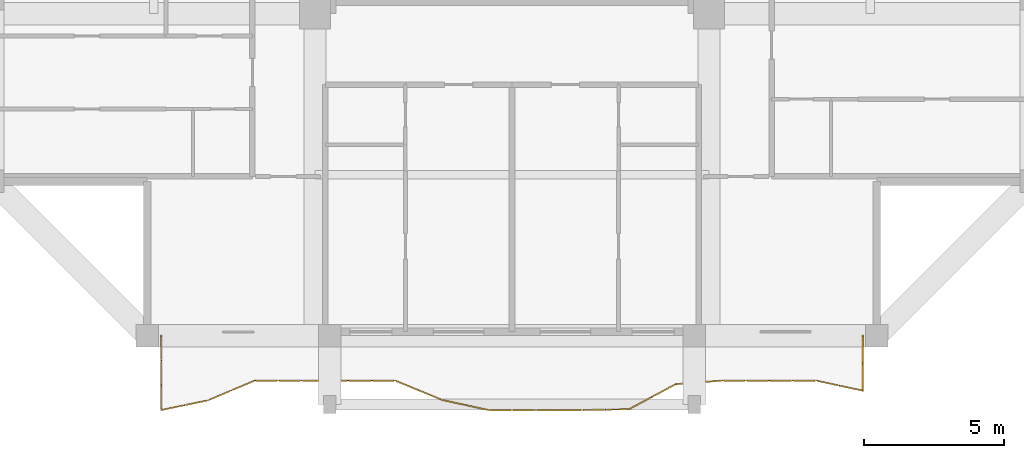
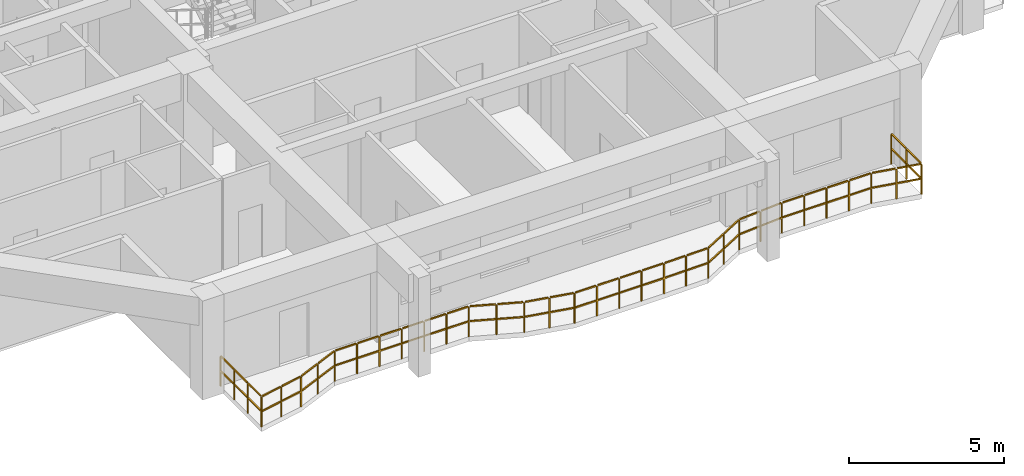
# One storey, part 10 of 14: 1 railing.
"""IFC4 building model written with IfcOpenShell, lengths in metres."""

from ifc_helpers import new_model, si_unit, direction, frame, origin, origin_2d, place, context, subcontext, project, spatial, rectangle, extrude, material, type_object, element, save


model = new_model("IFC4")

# Units and contexts
model_context = context("Model", 3, precision=1e-05, world=origin(), true_north=direction((0.0, 1.0)))
body_context = subcontext(model_context, "Body", "Model", "MODEL_VIEW")
ifc_project = project(units=[si_unit("LENGTHUNIT", "METRE"), si_unit("AREAUNIT", "SQUARE_METRE"), si_unit("VOLUMEUNIT", "CUBIC_METRE"), si_unit("PLANEANGLEUNIT", "RADIAN"), si_unit("MASSUNIT", "GRAM", prefix="KILO")], contexts=[model_context])

# Site, building, storey
site_placement = place(None, origin())
site = spatial("IfcSite", under=ifc_project, at=site_placement, CompositionType="ELEMENT")
building_placement = place(site_placement, origin())
building = spatial("IfcBuilding", under=site, at=building_placement, Name="Saelheon Loggia Tower", CompositionType="ELEMENT")
storey_placement = place(building_placement, frame((0.0, 0.0, 202.60009765625)))
storey = spatial("IfcBuildingStorey", under=building, at=storey_placement, Name="L63", CompositionType="ELEMENT", Elevation=202.60009765625)

# Railing
ifc_material = material(Name="Architectural Precast Concrete and Laminated Glass Guard", Category="concrete")
railing_type = type_object("IfcRailingType", Name="Guard_Loggia_RL_LOG", PredefinedType="BALUSTRADE", material=ifc_material)
railing_placement = place(storey_placement, frame((25.5, 6.0, 0.0)))
element("IfcRailing", 1, at=railing_placement, inside=storey, type_object=railing_type, Name="L63 South Loggia Balustrade", PredefinedType="BALUSTRADE", context=body_context, shape_type="SweptSolid", body=[
    extrude(rectangle(XDim=0.048095703125, YDim=0.048095703125, at=origin_2d()), frame((0.0, -0.033203125, 1.19580078125), z_axis=(0.0, -1.0, 0.0), x_axis=(1.0, 0.0, 0.0)), (0.0, 0.0, 1.0), 0.81689453125),
    extrude(rectangle(XDim=0.048095703125, YDim=0.048095703125, at=origin_2d()), frame((0.0, -0.033203125, 0.60986328125), z_axis=(0.0, -1.0, 0.0), x_axis=(1.0, 0.0, 0.0)), (0.0, 0.0, 1.0), 0.81689453125),
    extrude(rectangle(XDim=0.048095703125, YDim=0.048095703125, at=origin_2d()), frame((0.0, -0.91650390625, 1.19580078125), z_axis=(0.0, -1.0, 0.0), x_axis=(1.0, 0.0, 0.0)), (0.0, 0.0, 1.0), 0.81689453125),
    extrude(rectangle(XDim=0.048095703125, YDim=0.048095703125, at=origin_2d()), frame((0.0, -0.91650390625, 0.60986328125), z_axis=(0.0, -1.0, 0.0), x_axis=(1.0, 0.0, 0.0)), (0.0, 0.0, 1.0), 0.81689453125),
    extrude(rectangle(XDim=0.048095703125, YDim=0.048095703125, at=origin_2d()), frame((0.0, -1.7998046875, 1.19580078125), z_axis=(0.0, -1.0, 0.0), x_axis=(1.0, 0.0, 0.0)), (0.0, 0.0, 1.0), 0.81689453125),
    extrude(rectangle(XDim=0.048095703125, YDim=0.048095703125, at=origin_2d()), frame((0.0, -1.7998046875, 0.60986328125), z_axis=(0.0, -1.0, 0.0), x_axis=(1.0, 0.0, 0.0)), (0.0, 0.0, 1.0), 0.81689453125),
    extrude(rectangle(XDim=0.048095703125, YDim=0.048095703125, at=origin_2d()), frame((0.032470703125, -2.64306640625, 1.19580078125), z_axis=(0.97910313619, 0.20336432505, 0.0), x_axis=(-0.20336432505, 0.97910313619, 0.0)), (0.0, 0.0, 1.0), 0.78466796875),
    extrude(rectangle(XDim=0.048095703125, YDim=0.048095703125, at=origin_2d()), frame((0.032470703125, -2.64306640625, 0.60986328125), z_axis=(0.97910313619, 0.20336432505, 0.0), x_axis=(-0.20336432505, 0.97910313619, 0.0)), (0.0, 0.0, 1.0), 0.78466796875),
    extrude(rectangle(XDim=0.048095703125, YDim=0.048095703125, at=origin_2d()), frame((0.865966796875, -2.469970703125, 1.19580078125), z_axis=(0.97910313619, 0.20336432505, 0.0), x_axis=(-0.20336432505, 0.97910313619, 0.0)), (0.0, 0.0, 1.0), 0.78466796875),
    extrude(rectangle(XDim=0.048095703125, YDim=0.048095703125, at=origin_2d()), frame((0.865966796875, -2.469970703125, 0.60986328125), z_axis=(0.97910313619, 0.20336432505, 0.0), x_axis=(-0.20336432505, 0.97910313619, 0.0)), (0.0, 0.0, 1.0), 0.78466796875),
    extrude(rectangle(XDim=0.048095703125, YDim=0.048095703125, at=origin_2d()), frame((1.697265625, -2.290771484375, 1.19580078125), z_axis=(0.921253860244, 0.388961855438, 0.0), x_axis=(-0.388961855438, 0.921253860244, 0.0)), (0.0, 0.0, 1.0), 0.837890625),
    extrude(rectangle(XDim=0.048095703125, YDim=0.048095703125, at=origin_2d()), frame((1.697265625, -2.290771484375, 0.60986328125), z_axis=(0.921253860244, 0.388961855438, 0.0), x_axis=(-0.388961855438, 0.921253860244, 0.0)), (0.0, 0.0, 1.0), 0.837890625),
    extrude(rectangle(XDim=0.048095703125, YDim=0.048095703125, at=origin_2d()), frame((2.530517578125, -1.93896484375, 1.19580078125), z_axis=(0.921253860244, 0.388961855438, 0.0), x_axis=(-0.388961855438, 0.921253860244, 0.0)), (0.0, 0.0, 1.0), 0.837890625),
    extrude(rectangle(XDim=0.048095703125, YDim=0.048095703125, at=origin_2d()), frame((2.530517578125, -1.93896484375, 0.60986328125), z_axis=(0.921253860244, 0.388961855438, 0.0), x_axis=(-0.388961855438, 0.921253860244, 0.0)), (0.0, 0.0, 1.0), 0.837890625),
    extrude(rectangle(XDim=0.048095703125, YDim=0.048095703125, at=origin_2d()), frame((3.366455078125, -1.60009765625, 1.19580078125), z_axis=(1.0, 0.0, 0.0), x_axis=(0.0, 1.0, 0.0)), (0.0, 0.0, 1.0), 0.766845703125),
    extrude(rectangle(XDim=0.048095703125, YDim=0.048095703125, at=origin_2d()), frame((3.366455078125, -1.60009765625, 0.60986328125), z_axis=(1.0, 0.0, 0.0), x_axis=(0.0, 1.0, 0.0)), (0.0, 0.0, 1.0), 0.766845703125),
    extrude(rectangle(XDim=0.048095703125, YDim=0.048095703125, at=origin_2d()), frame((4.199951171875, -1.60009765625, 1.19580078125), z_axis=(1.0, 0.0, 0.0), x_axis=(0.0, 1.0, 0.0)), (0.0, 0.0, 1.0), 0.766845703125),
    extrude(rectangle(XDim=0.048095703125, YDim=0.048095703125, at=origin_2d()), frame((4.199951171875, -1.60009765625, 0.60986328125), z_axis=(1.0, 0.0, 0.0), x_axis=(0.0, 1.0, 0.0)), (0.0, 0.0, 1.0), 0.766845703125),
    extrude(rectangle(XDim=0.048095703125, YDim=0.048095703125, at=origin_2d()), frame((5.033203125, -1.60009765625, 1.19580078125), z_axis=(1.0, 0.0, 0.0), x_axis=(0.0, 1.0, 0.0)), (0.0, 0.0, 1.0), 0.766845703125),
    extrude(rectangle(XDim=0.048095703125, YDim=0.048095703125, at=origin_2d()), frame((5.033203125, -1.60009765625, 0.60986328125), z_axis=(1.0, 0.0, 0.0), x_axis=(0.0, 1.0, 0.0)), (0.0, 0.0, 1.0), 0.766845703125),
    extrude(rectangle(XDim=0.048095703125, YDim=0.048095703125, at=origin_2d()), frame((5.86669921875, -1.60009765625, 1.19580078125), z_axis=(1.0, 0.0, 0.0), x_axis=(0.0, 1.0, 0.0)), (0.0, 0.0, 1.0), 0.766845703125),
    extrude(rectangle(XDim=0.048095703125, YDim=0.048095703125, at=origin_2d()), frame((5.86669921875, -1.60009765625, 0.60986328125), z_axis=(1.0, 0.0, 0.0), x_axis=(0.0, 1.0, 0.0)), (0.0, 0.0, 1.0), 0.766845703125),
    extrude(rectangle(XDim=0.048095703125, YDim=0.048095703125, at=origin_2d()), frame((6.699951171875, -1.60009765625, 1.19580078125), z_axis=(1.0, 0.0, 0.0), x_axis=(0.0, 1.0, 0.0)), (0.0, 0.0, 1.0), 0.766845703125),
    extrude(rectangle(XDim=0.048095703125, YDim=0.048095703125, at=origin_2d()), frame((6.699951171875, -1.60009765625, 0.60986328125), z_axis=(1.0, 0.0, 0.0), x_axis=(0.0, 1.0, 0.0)), (0.0, 0.0, 1.0), 0.766845703125),
    extrude(rectangle(XDim=0.048095703125, YDim=0.048095703125, at=origin_2d()), frame((7.533203125, -1.60009765625, 1.19580078125), z_axis=(1.0, 0.0, 0.0), x_axis=(0.0, 1.0, 0.0)), (0.0, 0.0, 1.0), 0.766845703125),
    extrude(rectangle(XDim=0.048095703125, YDim=0.048095703125, at=origin_2d()), frame((7.533203125, -1.60009765625, 0.60986328125), z_axis=(1.0, 0.0, 0.0), x_axis=(0.0, 1.0, 0.0)), (0.0, 0.0, 1.0), 0.766845703125),
    extrude(rectangle(XDim=0.048095703125, YDim=0.048095703125, at=origin_2d()), frame((8.364013671875, -1.61279296875, 1.19580078125), z_axis=(0.924826719989, -0.380388667017, 0.0), x_axis=(0.380388667017, 0.924826719989, 0.0)), (0.0, 0.0, 1.0), 0.834716796875),
    extrude(rectangle(XDim=0.048095703125, YDim=0.048095703125, at=origin_2d()), frame((8.364013671875, -1.61279296875, 0.60986328125), z_axis=(0.924826719989, -0.380388667017, 0.0), x_axis=(0.380388667017, 0.924826719989, 0.0)), (0.0, 0.0, 1.0), 0.834716796875),
    extrude(rectangle(XDim=0.048095703125, YDim=0.048095703125, at=origin_2d()), frame((9.197265625, -1.95556640625, 1.19580078125), z_axis=(0.924826719989, -0.380388667017, 0.0), x_axis=(0.380388667017, 0.924826719989, 0.0)), (0.0, 0.0, 1.0), 0.834716796875),
    extrude(rectangle(XDim=0.048095703125, YDim=0.048095703125, at=origin_2d()), frame((9.197265625, -1.95556640625, 0.60986328125), z_axis=(0.924826719989, -0.380388667017, 0.0), x_axis=(0.380388667017, 0.924826719989, 0.0)), (0.0, 0.0, 1.0), 0.834716796875),
    extrude(rectangle(XDim=0.048095703125, YDim=0.048095703125, at=origin_2d()), frame((10.032470703125, -2.292724609375, 1.19580078125), z_axis=(0.976942008233, -0.213504830274, 0.0), x_axis=(0.213504830274, 0.976942008233, 0.0)), (0.0, 0.0, 1.0), 0.78662109375),
    extrude(rectangle(XDim=0.048095703125, YDim=0.048095703125, at=origin_2d()), frame((10.032470703125, -2.292724609375, 0.60986328125), z_axis=(0.976942008233, -0.213504830274, 0.0), x_axis=(0.213504830274, 0.976942008233, 0.0)), (0.0, 0.0, 1.0), 0.78662109375),
    extrude(rectangle(XDim=0.048095703125, YDim=0.048095703125, at=origin_2d()), frame((10.86572265625, -2.474853515625, 1.19580078125), z_axis=(0.976942008233, -0.213504830274, 0.0), x_axis=(0.213504830274, 0.976942008233, 0.0)), (0.0, 0.0, 1.0), 0.78662109375),
    extrude(rectangle(XDim=0.048095703125, YDim=0.048095703125, at=origin_2d()), frame((10.86572265625, -2.474853515625, 0.60986328125), z_axis=(0.976942008233, -0.213504830274, 0.0), x_axis=(0.213504830274, 0.976942008233, 0.0)), (0.0, 0.0, 1.0), 0.78662109375),
    extrude(rectangle(XDim=0.048095703125, YDim=0.048095703125, at=origin_2d()), frame((11.699951171875, -2.64990234375, 1.19580078125), z_axis=(1.0, 0.0, 0.0), x_axis=(0.0, 1.0, 0.0)), (0.0, 0.0, 1.0), 0.766845703125),
    extrude(rectangle(XDim=0.048095703125, YDim=0.048095703125, at=origin_2d()), frame((11.699951171875, -2.64990234375, 0.60986328125), z_axis=(1.0, 0.0, 0.0), x_axis=(0.0, 1.0, 0.0)), (0.0, 0.0, 1.0), 0.766845703125),
    extrude(rectangle(XDim=0.048095703125, YDim=0.048095703125, at=origin_2d()), frame((12.533203125, -2.64990234375, 1.19580078125), z_axis=(1.0, 0.0, 0.0), x_axis=(0.0, 1.0, 0.0)), (0.0, 0.0, 1.0), 0.766845703125),
    extrude(rectangle(XDim=0.048095703125, YDim=0.048095703125, at=origin_2d()), frame((12.533203125, -2.64990234375, 0.60986328125), z_axis=(1.0, 0.0, 0.0), x_axis=(0.0, 1.0, 0.0)), (0.0, 0.0, 1.0), 0.766845703125),
    extrude(rectangle(XDim=0.048095703125, YDim=0.048095703125, at=origin_2d()), frame((13.366455078125, -2.64990234375, 1.19580078125), z_axis=(1.0, 0.0, 0.0), x_axis=(0.0, 1.0, 0.0)), (0.0, 0.0, 1.0), 0.766845703125),
    extrude(rectangle(XDim=0.048095703125, YDim=0.048095703125, at=origin_2d()), frame((13.366455078125, -2.64990234375, 0.60986328125), z_axis=(1.0, 0.0, 0.0), x_axis=(0.0, 1.0, 0.0)), (0.0, 0.0, 1.0), 0.766845703125),
    extrude(rectangle(XDim=0.048095703125, YDim=0.048095703125, at=origin_2d()), frame((14.199951171875, -2.64990234375, 1.19580078125), z_axis=(1.0, 0.0, 0.0), x_axis=(0.0, 1.0, 0.0)), (0.0, 0.0, 1.0), 0.766845703125),
    extrude(rectangle(XDim=0.048095703125, YDim=0.048095703125, at=origin_2d()), frame((14.199951171875, -2.64990234375, 0.60986328125), z_axis=(1.0, 0.0, 0.0), x_axis=(0.0, 1.0, 0.0)), (0.0, 0.0, 1.0), 0.766845703125),
    extrude(rectangle(XDim=0.048095703125, YDim=0.048095703125, at=origin_2d()), frame((15.033203125, -2.6494140625, 1.19580078125), z_axis=(0.99984036583, 0.017867368483, 0.0), x_axis=(-0.017867368483, 0.99984036583, 0.0)), (0.0, 0.0, 1.0), 0.76708984375),
    extrude(rectangle(XDim=0.048095703125, YDim=0.048095703125, at=origin_2d()), frame((15.033203125, -2.6494140625, 0.60986328125), z_axis=(0.99984036583, 0.017867368483, 0.0), x_axis=(-0.017867368483, 0.99984036583, 0.0)), (0.0, 0.0, 1.0), 0.76708984375),
    extrude(rectangle(XDim=0.048095703125, YDim=0.048095703125, at=origin_2d()), frame((15.86669921875, -2.634521484375, 1.19580078125), z_axis=(0.99984036583, 0.017867368483, 0.0), x_axis=(-0.017867368483, 0.99984036583, 0.0)), (0.0, 0.0, 1.0), 0.76708984375),
    extrude(rectangle(XDim=0.048095703125, YDim=0.048095703125, at=origin_2d()), frame((15.86669921875, -2.634521484375, 0.60986328125), z_axis=(0.99984036583, 0.017867368483, 0.0), x_axis=(-0.017867368483, 0.99984036583, 0.0)), (0.0, 0.0, 1.0), 0.76708984375),
    extrude(rectangle(XDim=0.048095703125, YDim=0.048095703125, at=origin_2d()), frame((16.696044921875, -2.6044921875, 1.19580078125), z_axis=(0.882327893031, 0.470635197557, 0.0), x_axis=(-0.470635197557, 0.882327893031, 0.0)), (0.0, 0.0, 1.0), 0.8779296875),
    extrude(rectangle(XDim=0.048095703125, YDim=0.048095703125, at=origin_2d()), frame((16.696044921875, -2.6044921875, 0.60986328125), z_axis=(0.882327893031, 0.470635197557, 0.0), x_axis=(-0.470635197557, 0.882327893031, 0.0)), (0.0, 0.0, 1.0), 0.8779296875),
    extrude(rectangle(XDim=0.048095703125, YDim=0.048095703125, at=origin_2d()), frame((17.529296875, -2.159912109375, 1.19580078125), z_axis=(0.882327893031, 0.470635197557, 0.0), x_axis=(-0.470635197557, 0.882327893031, 0.0)), (0.0, 0.0, 1.0), 0.8779296875),
    extrude(rectangle(XDim=0.048095703125, YDim=0.048095703125, at=origin_2d()), frame((17.529296875, -2.159912109375, 0.60986328125), z_axis=(0.882327893031, 0.470635197557, 0.0), x_axis=(-0.470635197557, 0.882327893031, 0.0)), (0.0, 0.0, 1.0), 0.8779296875),
    extrude(rectangle(XDim=0.048095703125, YDim=0.048095703125, at=origin_2d()), frame((18.366455078125, -1.728515625, 1.19580078125), z_axis=(0.996920719957, 0.078416057802, 0.0), x_axis=(-0.078416057802, 0.996920719957, 0.0)), (0.0, 0.0, 1.0), 0.76953125),
    extrude(rectangle(XDim=0.048095703125, YDim=0.048095703125, at=origin_2d()), frame((18.366455078125, -1.728515625, 0.60986328125), z_axis=(0.996920719957, 0.078416057802, 0.0), x_axis=(-0.078416057802, 0.996920719957, 0.0)), (0.0, 0.0, 1.0), 0.76953125),
    extrude(rectangle(XDim=0.048095703125, YDim=0.048095703125, at=origin_2d()), frame((19.19970703125, -1.6630859375, 1.19580078125), z_axis=(0.996920719957, 0.078416057802, 0.0), x_axis=(-0.078416057802, 0.996920719957, 0.0)), (0.0, 0.0, 1.0), 0.76953125),
    extrude(rectangle(XDim=0.048095703125, YDim=0.048095703125, at=origin_2d()), frame((19.19970703125, -1.6630859375, 0.60986328125), z_axis=(0.996920719957, 0.078416057802, 0.0), x_axis=(-0.078416057802, 0.996920719957, 0.0)), (0.0, 0.0, 1.0), 0.76953125),
    extrude(rectangle(XDim=0.048095703125, YDim=0.048095703125, at=origin_2d()), frame((20.033203125, -1.60009765625, 1.19580078125), z_axis=(1.0, 0.0, 0.0), x_axis=(0.0, 1.0, 0.0)), (0.0, 0.0, 1.0), 0.766845703125),
    extrude(rectangle(XDim=0.048095703125, YDim=0.048095703125, at=origin_2d()), frame((20.033203125, -1.60009765625, 0.60986328125), z_axis=(1.0, 0.0, 0.0), x_axis=(0.0, 1.0, 0.0)), (0.0, 0.0, 1.0), 0.766845703125),
    extrude(rectangle(XDim=0.048095703125, YDim=0.048095703125, at=origin_2d()), frame((20.86669921875, -1.60009765625, 1.19580078125), z_axis=(1.0, 0.0, 0.0), x_axis=(0.0, 1.0, 0.0)), (0.0, 0.0, 1.0), 0.766845703125),
    extrude(rectangle(XDim=0.048095703125, YDim=0.048095703125, at=origin_2d()), frame((20.86669921875, -1.60009765625, 0.60986328125), z_axis=(1.0, 0.0, 0.0), x_axis=(0.0, 1.0, 0.0)), (0.0, 0.0, 1.0), 0.766845703125),
    extrude(rectangle(XDim=0.048095703125, YDim=0.048095703125, at=origin_2d()), frame((21.699951171875, -1.60009765625, 1.19580078125), z_axis=(1.0, 0.0, 0.0), x_axis=(0.0, 1.0, 0.0)), (0.0, 0.0, 1.0), 0.766845703125),
    extrude(rectangle(XDim=0.048095703125, YDim=0.048095703125, at=origin_2d()), frame((21.699951171875, -1.60009765625, 0.60986328125), z_axis=(1.0, 0.0, 0.0), x_axis=(0.0, 1.0, 0.0)), (0.0, 0.0, 1.0), 0.766845703125),
    extrude(rectangle(XDim=0.048095703125, YDim=0.048095703125, at=origin_2d()), frame((22.533203125, -1.60009765625, 1.19580078125), z_axis=(1.0, 0.0, 0.0), x_axis=(0.0, 1.0, 0.0)), (0.0, 0.0, 1.0), 0.766845703125),
    extrude(rectangle(XDim=0.048095703125, YDim=0.048095703125, at=origin_2d()), frame((22.533203125, -1.60009765625, 0.60986328125), z_axis=(1.0, 0.0, 0.0), x_axis=(0.0, 1.0, 0.0)), (0.0, 0.0, 1.0), 0.766845703125),
    extrude(rectangle(XDim=0.048095703125, YDim=0.048095703125, at=origin_2d()), frame((23.36572265625, -1.607177734375, 1.19580078125), z_axis=(0.977446924782, -0.211181223679, 0.0), x_axis=(0.211181223679, 0.977446924782, 0.0)), (0.0, 0.0, 1.0), 0.7861328125),
    extrude(rectangle(XDim=0.048095703125, YDim=0.048095703125, at=origin_2d()), frame((23.36572265625, -1.607177734375, 0.60986328125), z_axis=(0.977446924782, -0.211181223679, 0.0), x_axis=(0.211181223679, 0.977446924782, 0.0)), (0.0, 0.0, 1.0), 0.7861328125),
    extrude(rectangle(XDim=0.048095703125, YDim=0.048095703125, at=origin_2d()), frame((24.19921875, -1.787109375, 1.19580078125), z_axis=(0.977446924782, -0.211181223679, 0.0), x_axis=(0.211181223679, 0.977446924782, 0.0)), (0.0, 0.0, 1.0), 0.7861328125),
    extrude(rectangle(XDim=0.048095703125, YDim=0.048095703125, at=origin_2d()), frame((24.19921875, -1.787109375, 0.60986328125), z_axis=(0.977446924782, -0.211181223679, 0.0), x_axis=(0.211181223679, 0.977446924782, 0.0)), (0.0, 0.0, 1.0), 0.7861328125),
    extrude(rectangle(XDim=0.048095703125, YDim=0.048095703125, at=origin_2d()), frame((25.0, -1.927001953125, 1.19580078125), z_axis=(0.0, 1.0, 0.0), x_axis=(-1.0, 0.0, 0.0)), (0.0, 0.0, 1.0), 0.91357421875),
    extrude(rectangle(XDim=0.048095703125, YDim=0.048095703125, at=origin_2d()), frame((25.0, -1.927001953125, 0.60986328125), z_axis=(0.0, 1.0, 0.0), x_axis=(-1.0, 0.0, 0.0)), (0.0, 0.0, 1.0), 0.91357421875),
    extrude(rectangle(XDim=0.048095703125, YDim=0.048095703125, at=origin_2d()), frame((25.0, -0.94677734375, 1.19580078125), z_axis=(0.0, 1.0, 0.0), x_axis=(-1.0, 0.0, 0.0)), (0.0, 0.0, 1.0), 0.91357421875),
    extrude(rectangle(XDim=0.048095703125, YDim=0.048095703125, at=origin_2d()), frame((25.0, -0.94677734375, 0.60986328125), z_axis=(0.0, 1.0, 0.0), x_axis=(-1.0, 0.0, 0.0)), (0.0, 0.0, 1.0), 0.91357421875),
    extrude(rectangle(XDim=0.0419921875, YDim=0.0419921875, at=origin_2d()), origin(), (0.0, 0.0, 1.0), 1.16796875),
    extrude(rectangle(XDim=0.0419921875, YDim=0.0419921875, at=origin_2d()), frame((0.0, -0.88330078125, 0.0)), (0.0, 0.0, 1.0), 1.16796875),
    extrude(rectangle(XDim=0.0419921875, YDim=0.0419921875, at=origin_2d()), frame((0.0, -1.7666015625, 0.0)), (0.0, 0.0, 1.0), 1.16796875),
    extrude(rectangle(XDim=0.0419921875, YDim=0.0419921875, at=origin_2d()), frame((0.0, -2.64990234375, 0.0)), (0.0, 0.0, 1.0), 1.16796875),
    extrude(rectangle(XDim=0.0419921875, YDim=0.0419921875, at=origin_2d()), frame((0.83349609375, -2.476806640625, 0.0)), (0.0, 0.0, 1.0), 1.16796875),
    extrude(rectangle(XDim=0.0419921875, YDim=0.0419921875, at=origin_2d()), frame((1.666748046875, -2.3037109375, 0.0)), (0.0, 0.0, 1.0), 1.16796875),
    extrude(rectangle(XDim=0.0419921875, YDim=0.0419921875, at=origin_2d()), frame((2.5, -1.951904296875, 0.0)), (0.0, 0.0, 1.0), 1.16796875),
    extrude(rectangle(XDim=0.0419921875, YDim=0.0419921875, at=origin_2d()), frame((3.333251953125, -1.60009765625, 0.0)), (0.0, 0.0, 1.0), 1.16796875),
    extrude(rectangle(XDim=0.0419921875, YDim=0.0419921875, at=origin_2d()), frame((4.16650390625, -1.60009765625, 0.0)), (0.0, 0.0, 1.0), 1.16796875),
    extrude(rectangle(XDim=0.0419921875, YDim=0.0419921875, at=origin_2d()), frame((5.0, -1.60009765625, 0.0)), (0.0, 0.0, 1.0), 1.16796875),
    extrude(rectangle(XDim=0.0419921875, YDim=0.0419921875, at=origin_2d()), frame((5.83349609375, -1.60009765625, 0.0)), (0.0, 0.0, 1.0), 1.16796875),
    extrude(rectangle(XDim=0.0419921875, YDim=0.0419921875, at=origin_2d()), frame((6.666748046875, -1.60009765625, 0.0)), (0.0, 0.0, 1.0), 1.16796875),
    extrude(rectangle(XDim=0.0419921875, YDim=0.0419921875, at=origin_2d()), frame((7.5, -1.60009765625, 0.0)), (0.0, 0.0, 1.0), 1.16796875),
    extrude(rectangle(XDim=0.0419921875, YDim=0.0419921875, at=origin_2d()), frame((8.333251953125, -1.60009765625, 0.0)), (0.0, 0.0, 1.0), 1.16796875),
    extrude(rectangle(XDim=0.0419921875, YDim=0.0419921875, at=origin_2d()), frame((9.16650390625, -1.94287109375, 0.0)), (0.0, 0.0, 1.0), 1.16796875),
    extrude(rectangle(XDim=0.0419921875, YDim=0.0419921875, at=origin_2d()), frame((10.0, -2.28564453125, 0.0)), (0.0, 0.0, 1.0), 1.16796875),
    extrude(rectangle(XDim=0.0419921875, YDim=0.0419921875, at=origin_2d()), frame((10.83349609375, -2.4677734375, 0.0)), (0.0, 0.0, 1.0), 1.16796875),
    extrude(rectangle(XDim=0.0419921875, YDim=0.0419921875, at=origin_2d()), frame((11.666748046875, -2.64990234375, 0.0)), (0.0, 0.0, 1.0), 1.16796875),
    extrude(rectangle(XDim=0.0419921875, YDim=0.0419921875, at=origin_2d()), frame((12.5, -2.64990234375, 0.0)), (0.0, 0.0, 1.0), 1.16796875),
    extrude(rectangle(XDim=0.0419921875, YDim=0.0419921875, at=origin_2d()), frame((13.333251953125, -2.64990234375, 0.0)), (0.0, 0.0, 1.0), 1.16796875),
    extrude(rectangle(XDim=0.0419921875, YDim=0.0419921875, at=origin_2d()), frame((14.16650390625, -2.64990234375, 0.0)), (0.0, 0.0, 1.0), 1.16796875),
    extrude(rectangle(XDim=0.0419921875, YDim=0.0419921875, at=origin_2d()), frame((15.0, -2.64990234375, 0.0)), (0.0, 0.0, 1.0), 1.16796875),
    extrude(rectangle(XDim=0.0419921875, YDim=0.0419921875, at=origin_2d()), frame((15.83349609375, -2.635009765625, 0.0)), (0.0, 0.0, 1.0), 1.16796875),
    extrude(rectangle(XDim=0.0419921875, YDim=0.0419921875, at=origin_2d()), frame((16.666748046875, -2.6201171875, 0.0)), (0.0, 0.0, 1.0), 1.16796875),
    extrude(rectangle(XDim=0.0419921875, YDim=0.0419921875, at=origin_2d()), frame((17.5, -2.17578125, 0.0)), (0.0, 0.0, 1.0), 1.16796875),
    extrude(rectangle(XDim=0.0419921875, YDim=0.0419921875, at=origin_2d()), frame((18.333251953125, -1.731201171875, 0.0)), (0.0, 0.0, 1.0), 1.16796875),
    extrude(rectangle(XDim=0.0419921875, YDim=0.0419921875, at=origin_2d()), frame((19.16650390625, -1.66552734375, 0.0)), (0.0, 0.0, 1.0), 1.16796875),
    extrude(rectangle(XDim=0.0419921875, YDim=0.0419921875, at=origin_2d()), frame((20.0, -1.60009765625, 0.0)), (0.0, 0.0, 1.0), 1.16796875),
    extrude(rectangle(XDim=0.0419921875, YDim=0.0419921875, at=origin_2d()), frame((20.83349609375, -1.60009765625, 0.0)), (0.0, 0.0, 1.0), 1.16796875),
    extrude(rectangle(XDim=0.0419921875, YDim=0.0419921875, at=origin_2d()), frame((21.666748046875, -1.60009765625, 0.0)), (0.0, 0.0, 1.0), 1.16796875),
    extrude(rectangle(XDim=0.0419921875, YDim=0.0419921875, at=origin_2d()), frame((22.5, -1.60009765625, 0.0)), (0.0, 0.0, 1.0), 1.16796875),
    extrude(rectangle(XDim=0.0419921875, YDim=0.0419921875, at=origin_2d()), frame((23.333251953125, -1.60009765625, 0.0)), (0.0, 0.0, 1.0), 1.16796875),
    extrude(rectangle(XDim=0.0419921875, YDim=0.0419921875, at=origin_2d()), frame((24.16650390625, -1.7802734375, 0.0)), (0.0, 0.0, 1.0), 1.16796875),
    extrude(rectangle(XDim=0.0419921875, YDim=0.0419921875, at=origin_2d()), frame((25.0, -1.960205078125, 0.0)), (0.0, 0.0, 1.0), 1.16796875),
    extrude(rectangle(XDim=0.0419921875, YDim=0.0419921875, at=origin_2d()), frame((25.0, -0.97998046875, 0.0)), (0.0, 0.0, 1.0), 1.16796875),
    extrude(rectangle(XDim=0.0419921875, YDim=0.0419921875, at=origin_2d()), frame((25.0, 0.0, 0.0)), (0.0, 0.0, 1.0), 1.16796875),
])

save(model, "model.ifc")
